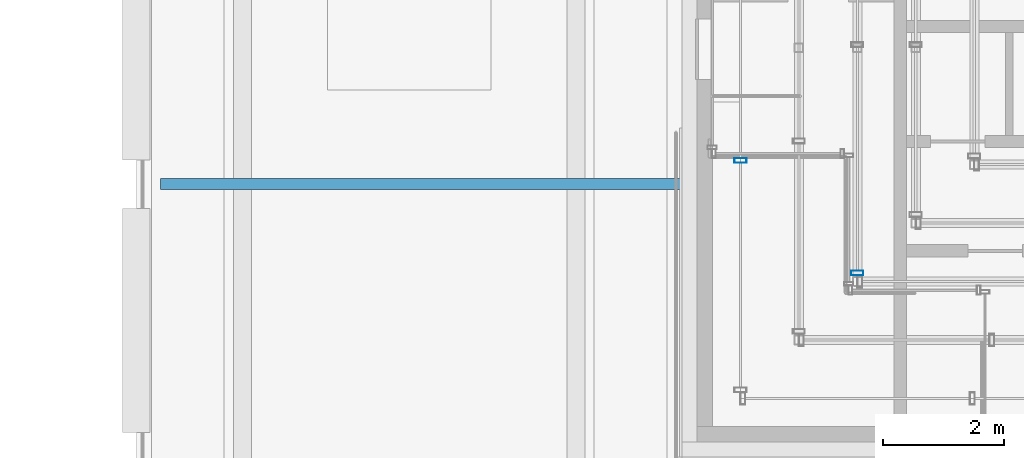
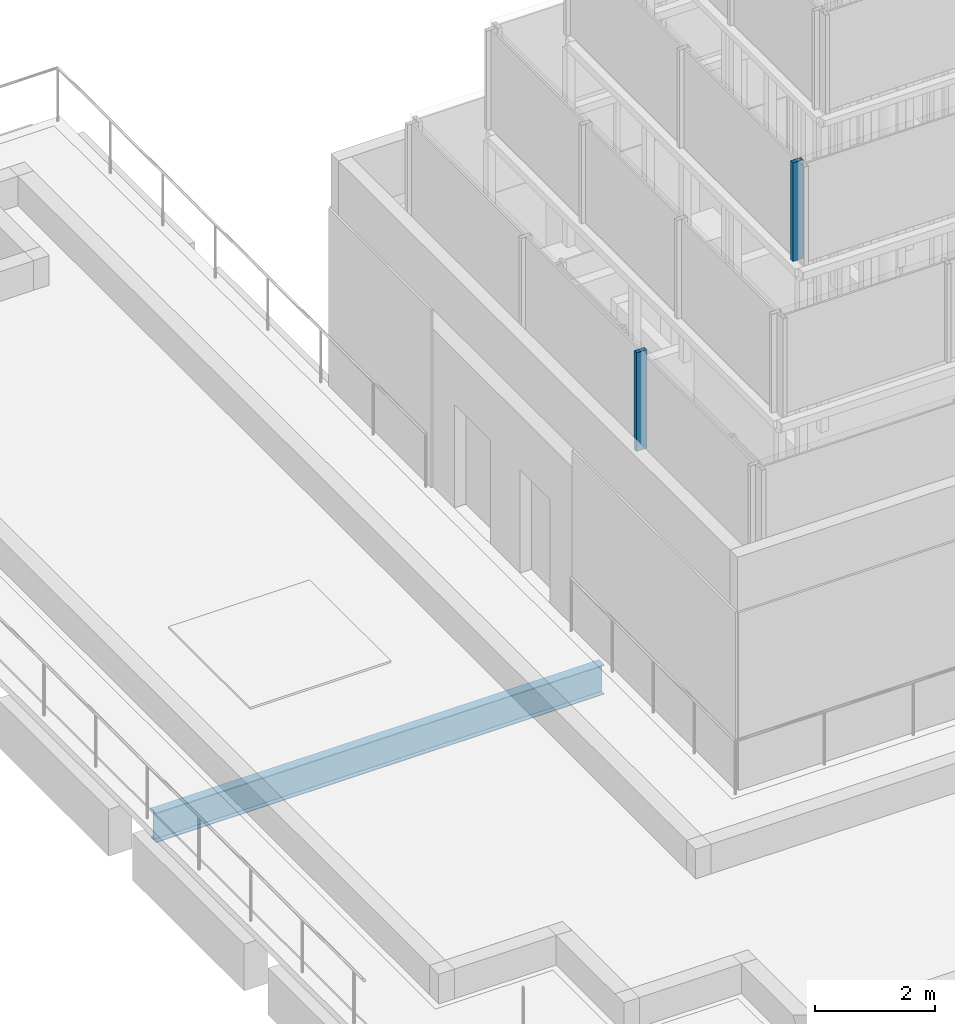
# One storey, part 31 of 62: 2 members, 1 beam, 2 elements without a shape of their own.
"""IFC4 building model written with IfcOpenShell, lengths in metres."""

import ifcopenshell
import ifcopenshell.guid

model = None  # the IFC model being written
_history = None  # IfcOwnerHistory: only IFC2X3 demands one
_inside = {}  # id of a spatial element -> (the spatial element, [elements in it])
_under = {}  # id of a project, library or spatial element -> (it, [spatial elements below it])
_declared = {}  # id of a project -> (the project, [libraries it declares])
_typed = {}  # id of a type object -> (the type object, [elements of that type])
_made_of = {}  # id of a material, layer set ... -> (it, [elements and type objects made of it])


def new_model(schema):
    """Start an empty IFC model of exactly this schema.

    Asked for "IFC4X3", IfcOpenShell would pick the latest addendum, in which some entities
    have other attributes; the version numbers below select the first issue.
    IFC2X3 requires an IfcOwnerHistory on every rooted entity: one is made here for all.
    """
    global model, _history
    if schema == "IFC4X3":
        model = ifcopenshell.file(schema_version=(4, 3, 0, 0))
    else:
        model = ifcopenshell.file(schema=schema)
    _inside.clear()
    _under.clear()
    _declared.clear()
    _typed.clear()
    _made_of.clear()
    _history = None
    if model.schema == "IFC2X3":
        org = make("IfcOrganization", Name="unknown")
        user = make(
            "IfcPersonAndOrganization",
            ThePerson=make("IfcPerson", FamilyName="unknown"),
            TheOrganization=org,
        )
        app = make(
            "IfcApplication",
            ApplicationDeveloper=org,
            Version="unknown",
            ApplicationFullName="unknown",
            ApplicationIdentifier="unknown",
        )
        _history = make(
            "IfcOwnerHistory",
            OwningUser=user,
            OwningApplication=app,
            ChangeAction="ADDED",
            CreationDate=0,
        )
    return model


def make(cls, **values):
    """One entity of the class cls with the attributes given. An attribute that is None is left unset."""
    return model.create_entity(
        cls, **{name: value for name, value in values.items() if value is not None}
    )


def rooted(cls, **values):
    """An entity with a GlobalId (a new one), such as an element, a storey or a relation."""
    return make(cls, GlobalId=ifcopenshell.guid.new(), OwnerHistory=_history, **values)


def si_unit(unit_type, name, prefix=None):
    """IfcSIUnit, for example si_unit("LENGTHUNIT", "METRE", prefix="MILLI")."""
    return make("IfcSIUnit", UnitType=unit_type, Prefix=prefix, Name=name)


def assignment(units):
    """IfcUnitAssignment: the units of a project."""
    return None if units is None else make("IfcUnitAssignment", Units=units)


def point(xyz):
    """IfcCartesianPoint."""
    return None if xyz is None else make("IfcCartesianPoint", Coordinates=xyz)


def direction(xyz):
    """IfcDirection."""
    return None if xyz is None else make("IfcDirection", DirectionRatios=xyz)


def frame(location, z_axis=None, x_axis=None):
    """IfcAxis2Placement3D, a coordinate frame: its origin and axes. An axis left out is left unset."""
    return make(
        "IfcAxis2Placement3D",
        Location=point(location),
        Axis=direction(z_axis),
        RefDirection=direction(x_axis),
    )


def frame_2d(location, x_axis=None):
    """IfcAxis2Placement2D, a coordinate frame in the plane: its origin and x axis."""
    return make(
        "IfcAxis2Placement2D", Location=point(location), RefDirection=direction(x_axis)
    )


def origin():
    """The frame at (0, 0, 0) with its axes left unset."""
    return frame((0.0, 0.0, 0.0))


def origin_2d():
    """The frame at (0, 0) in the plane with its x axis left unset."""
    return frame_2d((0.0, 0.0))


def place(relative_to, where):
    """IfcLocalPlacement: puts the frame where relative to a parent placement (None: the world)."""
    return make(
        "IfcLocalPlacement", PlacementRelTo=relative_to, RelativePlacement=where
    )


def context(
    kind, dimensions, precision=None, world=None, true_north=None, identifier=None
):
    """IfcGeometricRepresentationContext, for example the 3D "Model" context."""
    return make(
        "IfcGeometricRepresentationContext",
        ContextIdentifier=identifier,
        ContextType=kind,
        CoordinateSpaceDimension=dimensions,
        Precision=precision,
        WorldCoordinateSystem=world,
        TrueNorth=true_north,
    )


def subcontext(parent, identifier, kind, view, scale=None):
    """IfcGeometricRepresentationSubContext, for example "Body" below "Model"."""
    return make(
        "IfcGeometricRepresentationSubContext",
        ContextIdentifier=identifier,
        ContextType=kind,
        ParentContext=parent,
        TargetScale=scale,
        TargetView=view,
    )


def project(units=None, contexts=None):
    """IfcProject with its units and contexts."""
    return rooted(
        "IfcProject",
        Name="project",
        RepresentationContexts=contexts,
        UnitsInContext=assignment(units),
    )


def spatial(cls, under=None, at=None, **own):
    """A site, building, storey or space (cls), placed at a placement, below another one or the project."""
    s = rooted(cls, ObjectPlacement=at, **own)
    if under is not None:
        _under.setdefault(under.id(), (under, []))[1].append(s)
    return s


def profile(cls, at=None, kind="AREA", **sizes):
    """A parametric profile (cls). Its sizes go by their IFC names, for example OverallWidth=200.0."""
    return make(cls, ProfileType=kind, Position=at, **sizes)


def hollow_rectangle(**sizes):
    """IfcRectangleHollowProfileDef."""
    return profile("IfcRectangleHollowProfileDef", **sizes)


def i_section(**sizes):
    """IfcIShapeProfileDef."""
    return profile("IfcIShapeProfileDef", **sizes)


def extrude(swept, where, along, depth):
    """IfcExtrudedAreaSolid: the profile swept, set in the frame where, extruded along a direction by depth."""
    return make(
        "IfcExtrudedAreaSolid",
        SweptArea=swept,
        Position=where,
        ExtrudedDirection=direction(along),
        Depth=depth,
    )


def shape(context_of_items, identifier, shape_type, items):
    """IfcShapeRepresentation: the items that make up one representation, for example the "Body"."""
    return make(
        "IfcShapeRepresentation",
        ContextOfItems=context_of_items,
        RepresentationIdentifier=identifier,
        RepresentationType=shape_type,
        Items=items,
    )


def material(Name=None, Category=None):
    """IfcMaterial."""
    return make("IfcMaterial", Name=Name, Category=Category)


def material_profile(
    of_material, cross_section, Name=None, Category=None, Priority=None
):
    """IfcMaterialProfile: a cross section and its material."""
    return make(
        "IfcMaterialProfile",
        Name=Name,
        Material=of_material,
        Profile=cross_section,
        Priority=Priority,
        Category=Category,
    )


def profile_set(profiles, Name=None, composite=None):
    """IfcMaterialProfileSet."""
    return make(
        "IfcMaterialProfileSet",
        Name=Name,
        MaterialProfiles=profiles,
        CompositeProfile=composite,
    )


def made_of(thing, what):
    """Note that an element or type object is made of a material, layer set ...; save() writes the relation."""
    if what is not None:
        _made_of.setdefault(what.id(), (what, []))[1].append(thing)
    return thing


def type_object(cls, material=None, **own):
    """A type object (cls), such as IfcWallType, which elements share."""
    return made_of(rooted(cls, **own), material)


def element(
    cls,
    number,
    at=None,
    inside=None,
    cuts=None,
    type_object=None,
    material=None,
    context=None,
    identifier="Body",
    shape_type=None,
    held_by="IfcProductDefinitionShape",
    body=None,
    shapes=None,
    **own,
):
    """One element of the class cls, such as IfcWall. Its Tag is "e" and its number.

    at: its placement. inside: the storey or other place that contains it. cuts: it is an
    opening in that element (IfcRelVoidsElement). A single representation is given by context,
    identifier, shape_type and body (its items); several are given by shapes. held_by: the class
    of the entity that holds the representations. save() writes the other relations.
    """
    e = rooted(cls, Tag="e%d" % number, ObjectPlacement=at, **own)
    if body is not None:
        shapes = [shape(context, identifier, shape_type, body)]
    if shapes is not None:
        e.Representation = make(held_by, Representations=shapes)
    if inside is not None:
        _inside.setdefault(inside.id(), (inside, []))[1].append(e)
    if cuts is not None:
        rooted(
            "IfcRelVoidsElement", RelatingBuildingElement=cuts, RelatedOpeningElement=e
        )
    if type_object is not None:
        _typed.setdefault(type_object.id(), (type_object, []))[1].append(e)
    return made_of(e, material)


def aggregate(whole, parts):
    """IfcRelAggregates: a whole, such as a stair, and the parts it consists of."""
    return rooted("IfcRelAggregates", RelatingObject=whole, RelatedObjects=parts)


def save(model, path):
    """Write the relations noted so far, then the file.

    IfcRelAggregates (storeys below a building ...), IfcRelContainedInSpatialStructure (elements
    in a storey), IfcRelDefinesByType, IfcRelAssociatesMaterial and IfcRelDeclares: one each for
    every whole, place, type object, material and project.
    """
    for whole, parts in _under.values():
        aggregate(whole, parts)
    for where, things in _inside.values():
        rooted(
            "IfcRelContainedInSpatialStructure",
            RelatedElements=things,
            RelatingStructure=where,
        )
    for kind, things in _typed.values():
        rooted("IfcRelDefinesByType", RelatedObjects=things, RelatingType=kind)
    for what, things in _made_of.values():
        rooted("IfcRelAssociatesMaterial", RelatedObjects=things, RelatingMaterial=what)
    for by, libraries in _declared.values():
        rooted("IfcRelDeclares", RelatingContext=by, RelatedDefinitions=libraries)
    model.write(path)


model = new_model("IFC4")

# Units and contexts
model_context = context("Model", 3, precision=1e-05, world=origin(), true_north=direction((0.0, 1.0)))
body_context = subcontext(model_context, "Body", "Model", "MODEL_VIEW")
ifc_project = project(units=[si_unit("LENGTHUNIT", "METRE"), si_unit("AREAUNIT", "SQUARE_METRE"), si_unit("VOLUMEUNIT", "CUBIC_METRE"), si_unit("PLANEANGLEUNIT", "RADIAN"), si_unit("MASSUNIT", "GRAM", prefix="KILO")], contexts=[model_context])

# Site, building, storey
site_placement = place(None, origin())
site = spatial("IfcSite", under=ifc_project, at=site_placement, CompositionType="ELEMENT")
building_placement = place(site_placement, origin())
building = spatial("IfcBuilding", under=site, at=building_placement, Name="Altepetl Exchange Towers", CompositionType="ELEMENT")
storey_placement = place(building_placement, frame((0.0, 0.0, 210.0)))
storey = spatial("IfcBuildingStorey", under=building, at=storey_placement, Name="L53", CompositionType="ELEMENT", Elevation=210.0)

# Beam
ifc_material_1 = material(Name="Steel S355", Category="steel")
ifc_material_profile_1 = material_profile(ifc_material_1, i_section(OverallWidth=0.177978515625, OverallDepth=0.59912109375, WebThickness=0.010009765625, FlangeThickness=0.0126953125, at=origin_2d()), Name="W24X55")
ifc_profile_set_1 = profile_set([ifc_material_profile_1], Name="Steel S355")
beam_type = type_object("IfcBeamType", Name="Floor beam W24X55", PredefinedType="BEAM", material=ifc_profile_set_1)
beam_placement = place(storey_placement, frame((94.89990234375, 40.5, -0.449462890625), z_axis=(1.0, 0.0, 0.0), x_axis=(0.0, 1.0, 0.0)))
element("IfcBeam", 1, at=beam_placement, inside=storey, type_object=beam_type, Name="bm:B:L53:t004", PredefinedType="BEAM", context=body_context, shape_type="SweptSolid", body=[
    extrude(i_section(OverallWidth=0.177978515625, OverallDepth=0.59912109375, WebThickness=0.010009765625, FlangeThickness=0.0126953125, at=origin_2d()), origin(), (0.0, 0.0, 1.0), 8.60009765625),
])

# Curtain wall, member
ifc_material_2 = material(Name="Aluminium 6063-T6 glazing", Category="aluminium")
curtain_wall_type = type_object("IfcCurtainWallType", Name="Crown glazing system", PredefinedType="NOTDEFINED", material=ifc_material_2)
curtain_wall_1_placement = place(storey_placement, origin())
curtain_wall_1 = element("IfcCurtainWall", 2, at=curtain_wall_1_placement, inside=storey, type_object=curtain_wall_type, Name="CW7 run", PredefinedType="NOTDEFINED")
ifc_material_3 = material(Name="Aluminium 6063-T6", Category="aluminium")
ifc_material_profile_2 = material_profile(ifc_material_3, hollow_rectangle(XDim=0.080078125, YDim=0.199951171875, WallThickness=0.0029296875, at=origin_2d()), Name="Mullion 80x200 hollow aluminium")
ifc_profile_set_2 = profile_set([ifc_material_profile_2], Name="Aluminium 6063-T6")
member_type = type_object("IfcMemberType", Name="Mullion 80x200 hollow aluminium", PredefinedType="MULLION", material=ifc_profile_set_2)
member_1_placement = place(storey_placement, frame((104.46435546875, 40.88818359375, 3.60009765625), z_axis=(0.0, 0.0, 1.0), x_axis=(0.0, -1.0, 0.0)))
member_1 = element("IfcMember", 3, at=member_1_placement, type_object=member_type, Name="MU5 mullion", PredefinedType="MULLION", context=body_context, shape_type="SweptSolid", body=[
    extrude(hollow_rectangle(XDim=0.080078125, YDim=0.199951171875, WallThickness=0.0029296875, at=origin_2d()), origin(), (0.0, 0.0, 1.0), 2.0),
])
aggregate(curtain_wall_1, [member_1])

curtain_wall_2_placement = place(storey_placement, origin())
curtain_wall_2 = element("IfcCurtainWall", 4, at=curtain_wall_2_placement, inside=storey, type_object=curtain_wall_type, Name="CW7 run", PredefinedType="NOTDEFINED")
member_2_placement = place(storey_placement, frame((106.392822265625, 39.032958984375, 7.89990234375), z_axis=(0.0, 0.0, 1.0), x_axis=(0.0, -1.0, 0.0)))
member_2 = element("IfcMember", 5, at=member_2_placement, type_object=member_type, Name="MU5 mullion", PredefinedType="MULLION", context=body_context, shape_type="SweptSolid", body=[
    extrude(hollow_rectangle(XDim=0.080078125, YDim=0.199951171875, WallThickness=0.0029296875, at=origin_2d()), origin(), (0.0, 0.0, 1.0), 2.0),
])
aggregate(curtain_wall_2, [member_2])

save(model, "model.ifc")
